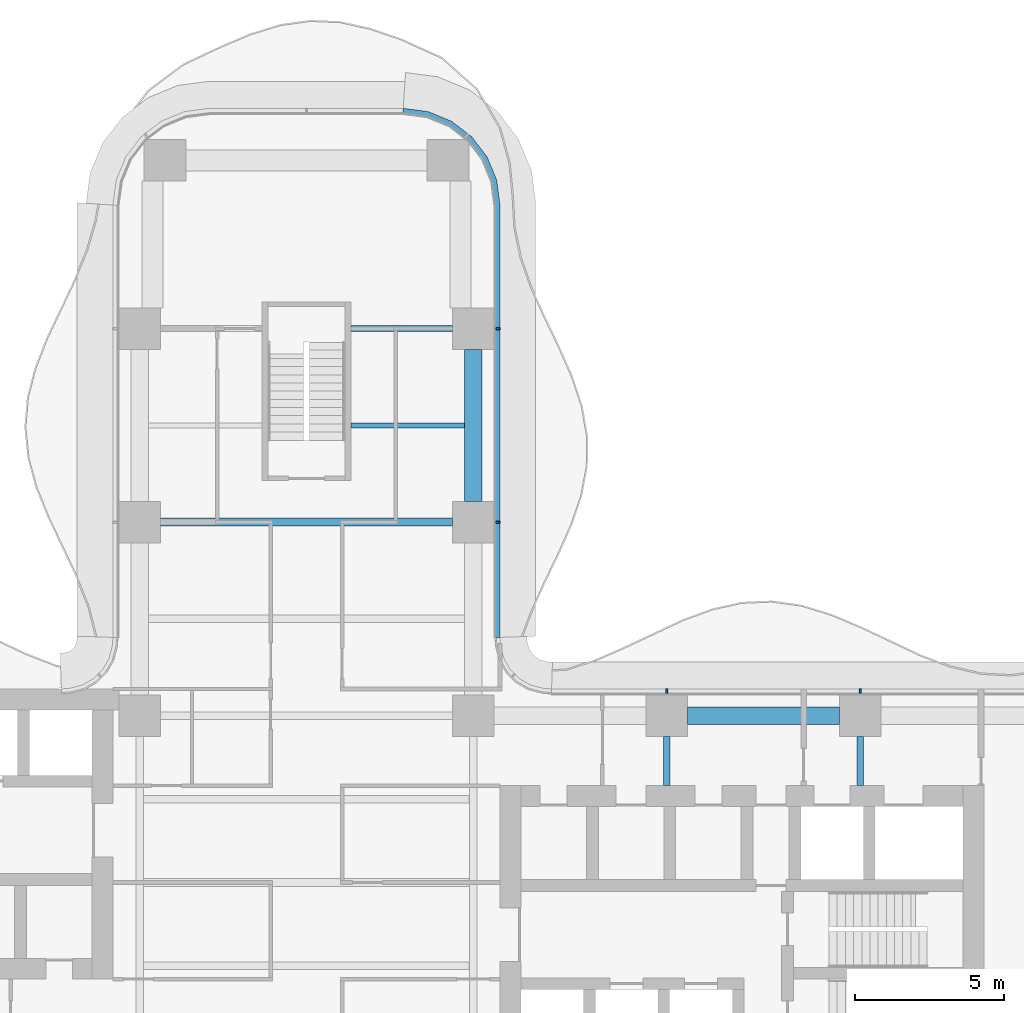
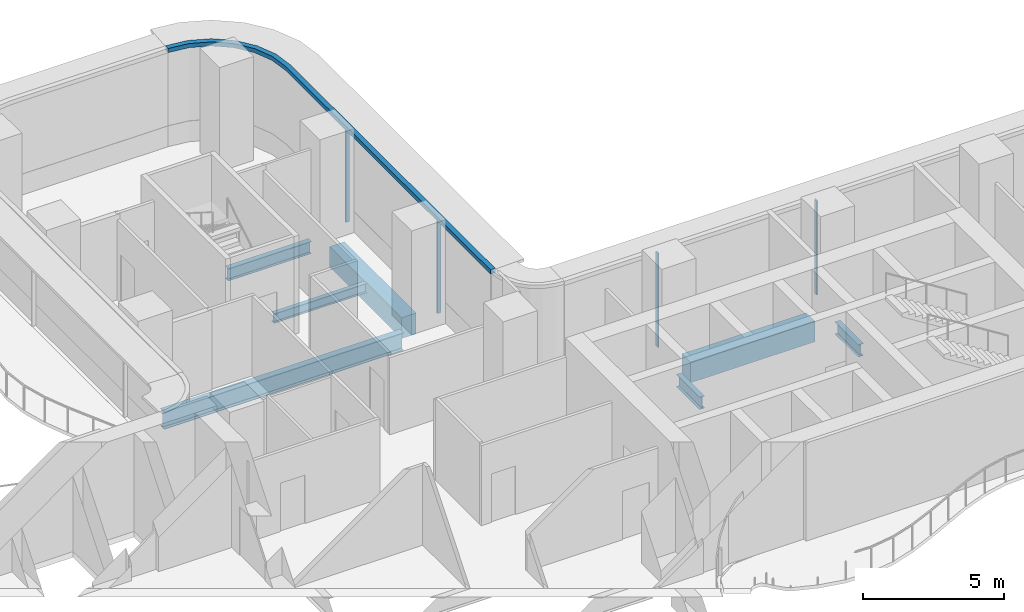
# One storey, part 10 of 22: 7 beams, 5 members, 2 elements without a shape of their own.
"""IFC4 building model written with IfcOpenShell, lengths in metres."""

import ifcopenshell
import ifcopenshell.guid

model = None  # the IFC model being written
_history = None  # IfcOwnerHistory: only IFC2X3 demands one
_inside = {}  # id of a spatial element -> (the spatial element, [elements in it])
_under = {}  # id of a project, library or spatial element -> (it, [spatial elements below it])
_declared = {}  # id of a project -> (the project, [libraries it declares])
_typed = {}  # id of a type object -> (the type object, [elements of that type])
_made_of = {}  # id of a material, layer set ... -> (it, [elements and type objects made of it])


def new_model(schema):
    """Start an empty IFC model of exactly this schema.

    Asked for "IFC4X3", IfcOpenShell would pick the latest addendum, in which some entities
    have other attributes; the version numbers below select the first issue.
    IFC2X3 requires an IfcOwnerHistory on every rooted entity: one is made here for all.
    """
    global model, _history
    if schema == "IFC4X3":
        model = ifcopenshell.file(schema_version=(4, 3, 0, 0))
    else:
        model = ifcopenshell.file(schema=schema)
    _inside.clear()
    _under.clear()
    _declared.clear()
    _typed.clear()
    _made_of.clear()
    _history = None
    if model.schema == "IFC2X3":
        org = make("IfcOrganization", Name="unknown")
        user = make(
            "IfcPersonAndOrganization",
            ThePerson=make("IfcPerson", FamilyName="unknown"),
            TheOrganization=org,
        )
        app = make(
            "IfcApplication",
            ApplicationDeveloper=org,
            Version="unknown",
            ApplicationFullName="unknown",
            ApplicationIdentifier="unknown",
        )
        _history = make(
            "IfcOwnerHistory",
            OwningUser=user,
            OwningApplication=app,
            ChangeAction="ADDED",
            CreationDate=0,
        )
    return model


def make(cls, **values):
    """One entity of the class cls with the attributes given. An attribute that is None is left unset."""
    return model.create_entity(
        cls, **{name: value for name, value in values.items() if value is not None}
    )


def rooted(cls, **values):
    """An entity with a GlobalId (a new one), such as an element, a storey or a relation."""
    return make(cls, GlobalId=ifcopenshell.guid.new(), OwnerHistory=_history, **values)


def si_unit(unit_type, name, prefix=None):
    """IfcSIUnit, for example si_unit("LENGTHUNIT", "METRE", prefix="MILLI")."""
    return make("IfcSIUnit", UnitType=unit_type, Prefix=prefix, Name=name)


def assignment(units):
    """IfcUnitAssignment: the units of a project."""
    return None if units is None else make("IfcUnitAssignment", Units=units)


def point(xyz):
    """IfcCartesianPoint."""
    return None if xyz is None else make("IfcCartesianPoint", Coordinates=xyz)


def direction(xyz):
    """IfcDirection."""
    return None if xyz is None else make("IfcDirection", DirectionRatios=xyz)


def frame(location, z_axis=None, x_axis=None):
    """IfcAxis2Placement3D, a coordinate frame: its origin and axes. An axis left out is left unset."""
    return make(
        "IfcAxis2Placement3D",
        Location=point(location),
        Axis=direction(z_axis),
        RefDirection=direction(x_axis),
    )


def frame_2d(location, x_axis=None):
    """IfcAxis2Placement2D, a coordinate frame in the plane: its origin and x axis."""
    return make(
        "IfcAxis2Placement2D", Location=point(location), RefDirection=direction(x_axis)
    )


def origin():
    """The frame at (0, 0, 0) with its axes left unset."""
    return frame((0.0, 0.0, 0.0))


def origin_2d():
    """The frame at (0, 0) in the plane with its x axis left unset."""
    return frame_2d((0.0, 0.0))


def place(relative_to, where):
    """IfcLocalPlacement: puts the frame where relative to a parent placement (None: the world)."""
    return make(
        "IfcLocalPlacement", PlacementRelTo=relative_to, RelativePlacement=where
    )


def context(
    kind, dimensions, precision=None, world=None, true_north=None, identifier=None
):
    """IfcGeometricRepresentationContext, for example the 3D "Model" context."""
    return make(
        "IfcGeometricRepresentationContext",
        ContextIdentifier=identifier,
        ContextType=kind,
        CoordinateSpaceDimension=dimensions,
        Precision=precision,
        WorldCoordinateSystem=world,
        TrueNorth=true_north,
    )


def subcontext(parent, identifier, kind, view, scale=None):
    """IfcGeometricRepresentationSubContext, for example "Body" below "Model"."""
    return make(
        "IfcGeometricRepresentationSubContext",
        ContextIdentifier=identifier,
        ContextType=kind,
        ParentContext=parent,
        TargetScale=scale,
        TargetView=view,
    )


def project(units=None, contexts=None):
    """IfcProject with its units and contexts."""
    return rooted(
        "IfcProject",
        Name="project",
        RepresentationContexts=contexts,
        UnitsInContext=assignment(units),
    )


def spatial(cls, under=None, at=None, **own):
    """A site, building, storey or space (cls), placed at a placement, below another one or the project."""
    s = rooted(cls, ObjectPlacement=at, **own)
    if under is not None:
        _under.setdefault(under.id(), (under, []))[1].append(s)
    return s


def polyline(points):
    """IfcPolyline through the points."""
    return make("IfcPolyline", Points=[point(p) for p in points])


def profile(cls, at=None, kind="AREA", **sizes):
    """A parametric profile (cls). Its sizes go by their IFC names, for example OverallWidth=200.0."""
    return make(cls, ProfileType=kind, Position=at, **sizes)


def rectangle(**sizes):
    """IfcRectangleProfileDef."""
    return profile("IfcRectangleProfileDef", **sizes)


def i_section(**sizes):
    """IfcIShapeProfileDef."""
    return profile("IfcIShapeProfileDef", **sizes)


def outline(outer, holes=None, kind="AREA"):
    """IfcArbitraryClosedProfileDef: a profile drawn as a closed curve; with holes, ...WithVoids."""
    if holes is None:
        return make("IfcArbitraryClosedProfileDef", ProfileType=kind, OuterCurve=outer)
    return make(
        "IfcArbitraryProfileDefWithVoids",
        ProfileType=kind,
        OuterCurve=outer,
        InnerCurves=holes,
    )


def extrude(swept, where, along, depth):
    """IfcExtrudedAreaSolid: the profile swept, set in the frame where, extruded along a direction by depth."""
    return make(
        "IfcExtrudedAreaSolid",
        SweptArea=swept,
        Position=where,
        ExtrudedDirection=direction(along),
        Depth=depth,
    )


def shape(context_of_items, identifier, shape_type, items):
    """IfcShapeRepresentation: the items that make up one representation, for example the "Body"."""
    return make(
        "IfcShapeRepresentation",
        ContextOfItems=context_of_items,
        RepresentationIdentifier=identifier,
        RepresentationType=shape_type,
        Items=items,
    )


def source(mapping_origin, context_of_items, identifier, shape_type, items):
    """IfcRepresentationMap: a shape defined once, which mapped items show again and again."""
    return make(
        "IfcRepresentationMap",
        MappingOrigin=mapping_origin,
        MappedRepresentation=shape(context_of_items, identifier, shape_type, items),
    )


def transform(
    local_origin,
    x_axis=None,
    y_axis=None,
    z_axis=None,
    scale=None,
    scale2=None,
    scale3=None,
    uniform=True,
):
    """IfcCartesianTransformationOperator3D, or its non-uniform kind. x_axis, y_axis, z_axis: its Axis1, 2, 3."""
    if uniform:
        return make(
            "IfcCartesianTransformationOperator3D",
            Axis1=direction(x_axis),
            Axis2=direction(y_axis),
            LocalOrigin=point(local_origin),
            Scale=scale,
            Axis3=direction(z_axis),
        )
    return make(
        "IfcCartesianTransformationOperator3DnonUniform",
        Axis1=direction(x_axis),
        Axis2=direction(y_axis),
        LocalOrigin=point(local_origin),
        Scale=scale,
        Axis3=direction(z_axis),
        Scale2=scale2,
        Scale3=scale3,
    )


def mapped(mapping_source, mapping_target):
    """IfcMappedItem: shows the shape of a source again, moved by a transform."""
    return make(
        "IfcMappedItem", MappingSource=mapping_source, MappingTarget=mapping_target
    )


def material(Name=None, Category=None):
    """IfcMaterial."""
    return make("IfcMaterial", Name=Name, Category=Category)


def layer(
    of_material, thickness, ventilated=None, Name=None, Category=None, Priority=None
):
    """IfcMaterialLayer: one layer of a wall or slab, of a material (None: an air gap)."""
    return make(
        "IfcMaterialLayer",
        Material=of_material,
        LayerThickness=thickness,
        IsVentilated=ventilated,
        Name=Name,
        Category=Category,
        Priority=Priority,
    )


def layer_set(layers, Name=None):
    """IfcMaterialLayerSet."""
    return make("IfcMaterialLayerSet", MaterialLayers=layers, LayerSetName=Name)


def material_profile(
    of_material, cross_section, Name=None, Category=None, Priority=None
):
    """IfcMaterialProfile: a cross section and its material."""
    return make(
        "IfcMaterialProfile",
        Name=Name,
        Material=of_material,
        Profile=cross_section,
        Priority=Priority,
        Category=Category,
    )


def profile_set(profiles, Name=None, composite=None):
    """IfcMaterialProfileSet."""
    return make(
        "IfcMaterialProfileSet",
        Name=Name,
        MaterialProfiles=profiles,
        CompositeProfile=composite,
    )


def made_of(thing, what):
    """Note that an element or type object is made of a material, layer set ...; save() writes the relation."""
    if what is not None:
        _made_of.setdefault(what.id(), (what, []))[1].append(thing)
    return thing


def type_object(cls, material=None, **own):
    """A type object (cls), such as IfcWallType, which elements share."""
    return made_of(rooted(cls, **own), material)


def element(
    cls,
    number,
    at=None,
    inside=None,
    cuts=None,
    type_object=None,
    material=None,
    context=None,
    identifier="Body",
    shape_type=None,
    held_by="IfcProductDefinitionShape",
    body=None,
    shapes=None,
    **own,
):
    """One element of the class cls, such as IfcWall. Its Tag is "e" and its number.

    at: its placement. inside: the storey or other place that contains it. cuts: it is an
    opening in that element (IfcRelVoidsElement). A single representation is given by context,
    identifier, shape_type and body (its items); several are given by shapes. held_by: the class
    of the entity that holds the representations. save() writes the other relations.
    """
    e = rooted(cls, Tag="e%d" % number, ObjectPlacement=at, **own)
    if body is not None:
        shapes = [shape(context, identifier, shape_type, body)]
    if shapes is not None:
        e.Representation = make(held_by, Representations=shapes)
    if inside is not None:
        _inside.setdefault(inside.id(), (inside, []))[1].append(e)
    if cuts is not None:
        rooted(
            "IfcRelVoidsElement", RelatingBuildingElement=cuts, RelatedOpeningElement=e
        )
    if type_object is not None:
        _typed.setdefault(type_object.id(), (type_object, []))[1].append(e)
    return made_of(e, material)


def aggregate(whole, parts):
    """IfcRelAggregates: a whole, such as a stair, and the parts it consists of."""
    return rooted("IfcRelAggregates", RelatingObject=whole, RelatedObjects=parts)


def save(model, path):
    """Write the relations noted so far, then the file.

    IfcRelAggregates (storeys below a building ...), IfcRelContainedInSpatialStructure (elements
    in a storey), IfcRelDefinesByType, IfcRelAssociatesMaterial and IfcRelDeclares: one each for
    every whole, place, type object, material and project.
    """
    for whole, parts in _under.values():
        aggregate(whole, parts)
    for where, things in _inside.values():
        rooted(
            "IfcRelContainedInSpatialStructure",
            RelatedElements=things,
            RelatingStructure=where,
        )
    for kind, things in _typed.values():
        rooted("IfcRelDefinesByType", RelatedObjects=things, RelatingType=kind)
    for what, things in _made_of.values():
        rooted("IfcRelAssociatesMaterial", RelatedObjects=things, RelatingMaterial=what)
    for by, libraries in _declared.values():
        rooted("IfcRelDeclares", RelatingContext=by, RelatedDefinitions=libraries)
    model.write(path)


model = new_model("IFC4")

# Units and contexts
model_context = context("Model", 3, precision=1e-05, world=origin(), true_north=direction((0.0, 1.0)))
body_context = subcontext(model_context, "Body", "Model", "MODEL_VIEW")
ifc_project = project(units=[si_unit("LENGTHUNIT", "METRE"), si_unit("AREAUNIT", "SQUARE_METRE"), si_unit("VOLUMEUNIT", "CUBIC_METRE"), si_unit("PLANEANGLEUNIT", "RADIAN"), si_unit("MASSUNIT", "GRAM", prefix="KILO")], contexts=[model_context])

# Site, building, storey
site_placement = place(None, origin())
site = spatial("IfcSite", under=ifc_project, at=site_placement, CompositionType="ELEMENT")
building_placement = place(site_placement, origin())
building = spatial("IfcBuilding", under=site, at=building_placement, Name="Trellis Farm Tower", CompositionType="ELEMENT")
storey_placement = place(building_placement, frame((0.0, 0.0, 65.5)))
storey = spatial("IfcBuildingStorey", under=building, at=storey_placement, Name="L13", CompositionType="ELEMENT", Elevation=65.5)

# Beams
ifc_material_1 = material(Name="Steel S355", Category="steel")
ifc_material_profile_1 = material_profile(ifc_material_1, i_section(OverallWidth=0.209228515625, OverallDepth=0.533203125, WebThickness=0.010009765625, FlangeThickness=0.015625, FilletRadius=0.0126953125, at=origin_2d()), Name="UB 533x210x92")
ifc_profile_set_1 = profile_set([ifc_material_profile_1], Name="Steel S355")
beam_type_1 = type_object("IfcBeamType", Name="UB 533x210x92", PredefinedType="BEAM", material=ifc_profile_set_1)
shared_shape_1 = source(origin(), body_context, "Body", "SweptSolid", [
    extrude(i_section(OverallWidth=0.209228515625, OverallDepth=0.533203125, WebThickness=0.010009765625, FlangeThickness=0.015625, FilletRadius=0.0126953125, at=origin_2d()), origin(), (0.0, 0.0, 1.0), 3.39990234375),
])
beam_1_placement = place(storey_placement, frame((1.5, 18.60009765625, -0.5166015625), z_axis=(1.0, 0.0, 0.0), x_axis=(0.0, 1.0, 0.0)))
element("IfcBeam", 1, at=beam_1_placement, inside=storey, type_object=beam_type_1, Name="Girder", PredefinedType="BEAM", context=body_context, shape_type="MappedRepresentation", body=[
    mapped(shared_shape_1, transform((0.0, 0.0, 0.0))),
])
ifc_material_2 = material(Name="Concrete C60/75", Category="concrete")
ifc_material_profile_2 = material_profile(ifc_material_2, rectangle(XDim=0.60009765625, YDim=0.89990234375, at=origin_2d()), Name="RC spandrel beam 600x900 C60/75")
ifc_profile_set_2 = profile_set([ifc_material_profile_2], Name="Concrete C60/75")
beam_type_2 = type_object("IfcBeamType", Name="RC spandrel beam 600x900 C60/75", PredefinedType="SPANDREL", material=ifc_profile_set_2)
shared_shape_2 = source(origin(), body_context, "Body", "SweptSolid", [
    extrude(rectangle(XDim=0.60009765625, YDim=0.89990234375, at=origin_2d()), origin(), (0.0, 0.0, 1.0), 5.099853515625),
])
for number, where, z_axis, x_axis, name in (
    (2, (12.800048828125, 5.60009765625, -0.699951171875), (1.0, 0.0, 0.0), (0.0, 1.0, 0.0), "Girder"),
    (3, (5.60009765625, 12.800048828125, -0.699951171875), (0.0, 1.0, 0.0), (-1.0, 0.0, 0.0), "Girder"),
):
    element("IfcBeam", number, at=place(storey_placement, frame(where, z_axis=z_axis, x_axis=x_axis)), inside=storey, type_object=beam_type_2, Name=name, PredefinedType="SPANDREL", context=body_context, shape_type="MappedRepresentation", body=[
        mapped(shared_shape_2, transform((0.0, 0.0, 0.0))),
    ])
ifc_material_profile_3 = material_profile(ifc_material_1, i_section(OverallWidth=0.2666015625, OverallDepth=0.76220703125, WebThickness=0.014404296875, FlangeThickness=0.021484375, FilletRadius=0.0166015625, at=origin_2d()), Name="UB 762x267x173")
ifc_profile_set_3 = profile_set([ifc_material_profile_3], Name="Steel S355")
beam_type_3 = type_object("IfcBeamType", Name="UB 762x267x173", PredefinedType="BEAM", material=ifc_profile_set_3)
shared_shape_3 = source(origin(), body_context, "Body", "SweptSolid", [
    extrude(i_section(OverallWidth=0.2666015625, OverallDepth=0.76220703125, WebThickness=0.014404296875, FlangeThickness=0.021484375, FilletRadius=0.0166015625, at=origin_2d()), origin(), (0.0, 0.0, 1.0), 9.7998046875),
])
beam_2_placement = place(storey_placement, frame((-4.89990234375, 12.10009765625, -0.631103515625), z_axis=(1.0, 0.0, 0.0), x_axis=(0.0, 1.0, 0.0)))
element("IfcBeam", 4, at=beam_2_placement, inside=storey, type_object=beam_type_3, Name="Girder", PredefinedType="BEAM", context=body_context, shape_type="MappedRepresentation", body=[
    mapped(shared_shape_3, transform((0.0, 0.0, 0.0))),
])
shared_shape_4 = source(origin(), body_context, "Body", "SweptSolid", [
    extrude(i_section(OverallWidth=0.209228515625, OverallDepth=0.533203125, WebThickness=0.010009765625, FlangeThickness=0.015625, FilletRadius=0.0126953125, at=origin_2d()), origin(), (0.0, 0.0, 1.0), 1.64990234375),
])
for number, where, z_axis, x_axis, name in (
    (5, (12.10009765625, 3.25, -0.5166015625), (0.0, 1.0, 0.0), (-1.0, 0.0, 0.0), "Girder"),
    (6, (18.60009765625, 3.25, -0.5166015625), (0.0, 1.0, 0.0), (-1.0, 0.0, 0.0), "Girder"),
):
    element("IfcBeam", number, at=place(storey_placement, frame(where, z_axis=z_axis, x_axis=x_axis)), inside=storey, type_object=beam_type_1, Name=name, PredefinedType="BEAM", context=body_context, shape_type="MappedRepresentation", body=[
        mapped(shared_shape_4, transform((0.0, 0.0, 0.0))),
    ])
ifc_material_profile_4 = material_profile(ifc_material_1, i_section(OverallWidth=0.177978515625, OverallDepth=0.406494140625, WebThickness=0.0078125, FlangeThickness=0.0126953125, FilletRadius=0.01025390625, at=origin_2d()), Name="UB 406x178x60")
ifc_profile_set_4 = profile_set([ifc_material_profile_4], Name="Steel S355")
beam_type_4 = type_object("IfcBeamType", Name="UB 406x178x60 joist", PredefinedType="JOIST", material=ifc_profile_set_4)
shared_shape_5 = source(origin(), body_context, "Body", "SweptSolid", [
    extrude(i_section(OverallWidth=0.177978515625, OverallDepth=0.406494140625, WebThickness=0.0078125, FlangeThickness=0.0126953125, FilletRadius=0.01025390625, at=origin_2d()), origin(), (0.0, 0.0, 1.0), 3.800048828125),
])
beam_3_placement = place(storey_placement, frame((1.5, 15.35009765625, -0.453125), z_axis=(1.0, 0.0, 0.0), x_axis=(0.0, 1.0, 0.0)))
element("IfcBeam", 7, at=beam_3_placement, inside=storey, type_object=beam_type_4, Name="Floor beam", PredefinedType="JOIST", context=body_context, shape_type="MappedRepresentation", body=[
    mapped(shared_shape_5, transform((0.0, 0.0, 0.0))),
])

# Curtain wall, members
ifc_material_3 = material(Name="Aluminium and glass curtain wall", Category="aluminium")
ifc_layer_1 = layer(ifc_material_3, 0.18994140625)
ifc_layer_set_1 = layer_set([ifc_layer_1], Name="RIBBON CURTAIN WALL CW1")
curtain_wall_type = type_object("IfcCurtainWallType", Name="RIBBON CURTAIN WALL CW1", PredefinedType="NOTDEFINED", material=ifc_layer_set_1)
placement = place(storey_placement, origin())
curtain_wall_1 = element("IfcCurtainWall", 8, at=placement, inside=storey, type_object=curtain_wall_type, Name="CW1 008", PredefinedType="NOTDEFINED")
ifc_material_4 = material(Name="Aluminium extrusion 6063-T6", Category="aluminium")
ifc_material_profile_5 = material_profile(ifc_material_4, rectangle(XDim=0.06005859375, YDim=0.14990234375, at=origin_2d()), Name="MULLION 60x150")
ifc_profile_set_5 = profile_set([ifc_material_profile_5], Name="Aluminium extrusion 6063-T6")
member_type_1 = type_object("IfcMemberType", Name="CW1 MULLION 60x150", PredefinedType="MULLION", material=ifc_profile_set_5)
shared_shape_6 = source(origin(), body_context, "Body", "SweptSolid", [
    extrude(rectangle(XDim=0.06005859375, YDim=0.14990234375, at=origin_2d()), origin(), (0.0, 0.0, 1.0), 4.070068359375),
])
member_1_placement = place(storey_placement, frame((18.60009765625, 6.425048828125, 0.0), z_axis=(0.0, 0.0, 1.0), x_axis=(-1.0, 0.0, 0.0)))
member_1 = element("IfcMember", 9, at=member_1_placement, type_object=member_type_1, Name="MU1 008-02", PredefinedType="MULLION", context=body_context, shape_type="MappedRepresentation", body=[
    mapped(shared_shape_6, transform((0.0, 0.0, 0.0))),
])
member_2_placement = place(storey_placement, frame((12.10009765625, 6.425048828125, 0.0), z_axis=(0.0, 0.0, 1.0), x_axis=(-1.0, 0.0, 0.0)))
member_2 = element("IfcMember", 10, at=member_2_placement, type_object=member_type_1, Name="MU1 008-03", PredefinedType="MULLION", context=body_context, shape_type="MappedRepresentation", body=[
    mapped(shared_shape_6, transform((0.0, 0.0, 0.0))),
])
aggregate(curtain_wall_1, [member_1, member_2])

curtain_wall_2 = element("IfcCurtainWall", 11, at=placement, inside=storey, type_object=curtain_wall_type, Name="CW1 009", PredefinedType="NOTDEFINED")
member_3_placement = place(storey_placement, frame((6.425048828125, 12.10009765625, 0.0), z_axis=(0.0, 0.0, 1.0), x_axis=(0.0, 1.0, 0.0)))
member_3 = element("IfcMember", 12, at=member_3_placement, type_object=member_type_1, Name="MU1 009-01", PredefinedType="MULLION", context=body_context, shape_type="MappedRepresentation", body=[
    mapped(shared_shape_6, transform((0.0, 0.0, 0.0))),
])
member_4_placement = place(storey_placement, frame((6.425048828125, 18.60009765625, 0.0), z_axis=(0.0, 0.0, 1.0), x_axis=(0.0, 1.0, 0.0)))
member_4 = element("IfcMember", 13, at=member_4_placement, type_object=member_type_1, Name="MU1 009-02", PredefinedType="MULLION", context=body_context, shape_type="MappedRepresentation", body=[
    mapped(shared_shape_6, transform((0.0, 0.0, 0.0))),
])
ifc_layer_2 = layer(ifc_material_4, 0.199951171875)
ifc_layer_set_2 = layer_set([ifc_layer_2], Name="Aluminium extrusion 6063-T6")
member_type_2 = type_object("IfcMemberType", Name="CW1 TRANSOM 200x180", PredefinedType="USERDEFINED", material=ifc_layer_set_2)
shared_shape_7 = source(origin(), body_context, "Body", "SweptSolid", [
    extrude(outline(polyline([(6.5, 8.2314453125), (6.5, 22.75), (6.38916015625, 23.591064453125), (6.064697265625, 24.375), (5.548095703125, 25.048095703125), (4.875, 25.564697265625), (4.091064453125, 25.88916015625), (3.25, 26.0), (3.23681640625, 25.800048828125), (4.0390625, 25.6943359375), (4.774169921875, 25.389892578125), (5.405517578125, 24.905517578125), (5.889892578125, 24.274169921875), (6.1943359375, 23.5390625), (6.300048828125, 22.73681640625), (6.300048828125, 8.224853515625), (6.5, 8.2314453125)])), origin(), (0.0, 0.0, 1.0), 0.179931640625),
])
member_5_placement = place(storey_placement, frame((0.0, 0.0, 4.070068359375)))
member_5 = element("IfcMember", 14, at=member_5_placement, type_object=member_type_2, Name="TR1 009", ObjectType="TRANSOM", PredefinedType="USERDEFINED", context=body_context, shape_type="MappedRepresentation", body=[
    mapped(shared_shape_7, transform((0.0, 0.0, 0.0))),
])
aggregate(curtain_wall_2, [member_3, member_4, member_5])

save(model, "model.ifc")
